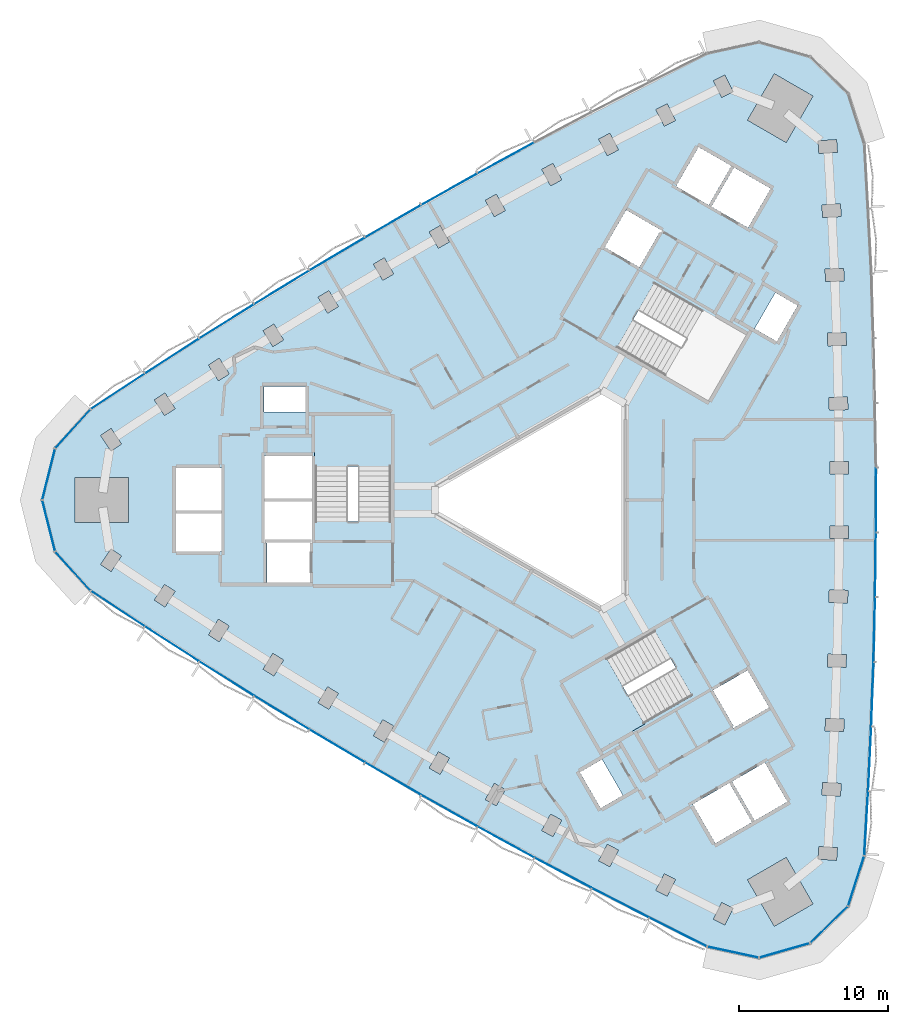
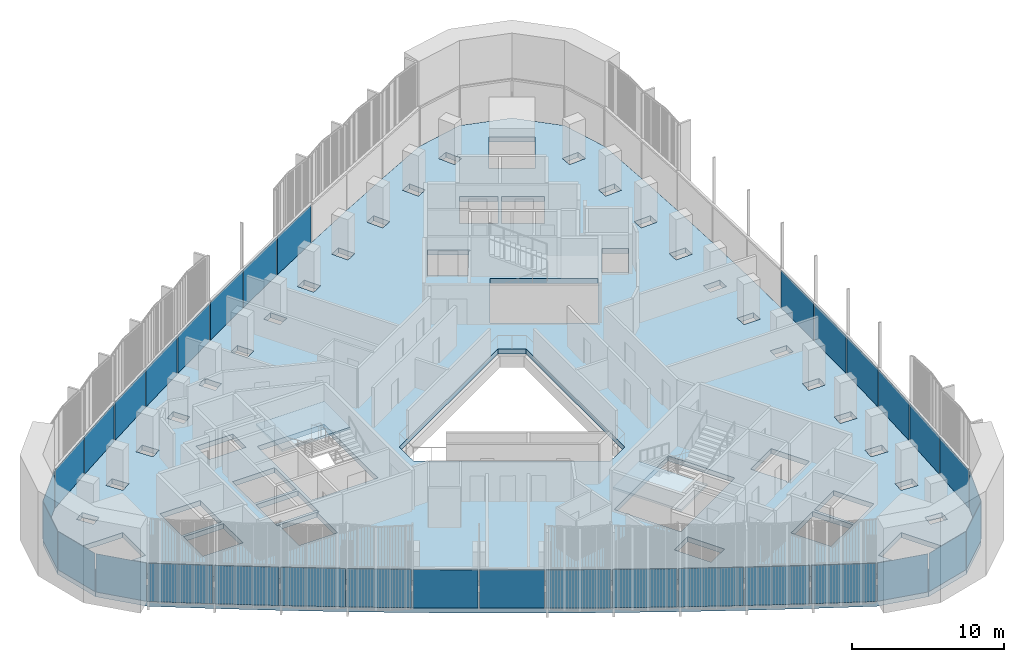
# One storey, part 6 of 14: 33 plates, 3 slabs, 5 elements without a shape of their own.
"""IFC4 building model written with IfcOpenShell, lengths in metres."""

from ifc_helpers import new_model, si_unit, direction, frame, origin, origin_2d, place, context, subcontext, project, spatial, polyline, rectangle, outline, extrude, material, layer, layer_set, type_object, element, aggregate, save


model = new_model("IFC4")

# Units and contexts
model_context = context("Model", 3, precision=1e-05, world=origin(), true_north=direction((0.0, 1.0)))
body_context = subcontext(model_context, "Body", "Model", "MODEL_VIEW")
ifc_project = project(units=[si_unit("LENGTHUNIT", "METRE"), si_unit("AREAUNIT", "SQUARE_METRE"), si_unit("VOLUMEUNIT", "CUBIC_METRE"), si_unit("PLANEANGLEUNIT", "RADIAN"), si_unit("MASSUNIT", "GRAM", prefix="KILO")], contexts=[model_context])

# Site, building, storey
site_placement = place(None, origin())
site = spatial("IfcSite", under=ifc_project, at=site_placement, CompositionType="ELEMENT")
building_placement = place(site_placement, origin())
building = spatial("IfcBuilding", under=site, at=building_placement, Name="Tamra Quay Hotel Tower", CompositionType="ELEMENT")
storey_placement = place(building_placement, frame((0.0, 0.0, 139.60009765625)))
storey = spatial("IfcBuildingStorey", under=building, at=storey_placement, Name="L34", CompositionType="ELEMENT", Elevation=139.60009765625)

# Stair, slab
ifc_material_1 = material(Name="Exit stair 2200 24 risers 150.0 going 342")
stair_type = type_object("IfcStairType", Name="Exit stair 2200 24 risers 150.0 going 342", PredefinedType="HALF_TURN_STAIR", material=ifc_material_1)
stair_1_placement = place(storey_placement, origin())
stair_1 = element("IfcStair", 1, at=stair_1_placement, inside=storey, type_object=stair_type, Name="L34 Exit stair ST3", PredefinedType="HALF_TURN_STAIR")
ifc_material_2 = material(Name="Concrete M70", Category="concrete")
ifc_layer_1 = layer(ifc_material_2, 0.175048828125)
ifc_layer_set_1 = layer_set([ifc_layer_1], Name="Concrete M70 stair landing 180")
slab_type_1 = type_object("IfcSlabType", Name="Concrete M70 stair landing 180", PredefinedType="LANDING", material=ifc_layer_set_1)
slab_1_placement = place(storey_placement, frame((0.0, 0.0, 1.625)))
slab_1 = element("IfcSlab", 2, at=slab_1_placement, type_object=slab_type_1, Name="ST3 landing 1", PredefinedType="LANDING", context=body_context, shape_type="SweptSolid", body=[
    extrude(outline(polyline([(-10.932373046875, 2.261962890625), (-10.932373046875, 5.679931640625), (-16.09130859375, 5.679931640625), (-16.09130859375, 2.261962890625), (-10.932373046875, 2.261962890625)])), origin(), (0.0, 0.0, 1.0), 0.1748046875),
])
aggregate(stair_1, [slab_1])

stair_2_placement = place(storey_placement, origin())
stair_2 = element("IfcStair", 3, at=stair_2_placement, inside=storey, type_object=stair_type, Name="L34 Exit stair ST2", PredefinedType="HALF_TURN_STAIR")
slab_2_placement = place(storey_placement, frame((0.0, 0.0, 1.625)))
slab_2 = element("IfcSlab", 4, at=slab_2_placement, type_object=slab_type_1, Name="ST2 landing 1", PredefinedType="LANDING", context=body_context, shape_type="SweptSolid", body=[
    extrude(outline(polyline([(3.50732421875, -10.5986328125), (0.547119140625, -12.3076171875), (3.126708984375, -16.775390625), (6.086669921875, -15.06640625), (3.50732421875, -10.5986328125)])), origin(), (0.0, 0.0, 1.0), 0.1748046875),
])
aggregate(stair_2, [slab_2])

# Slab
ifc_material_3 = material(Name="Concrete M60", Category="concrete")
ifc_layer_2 = layer(ifc_material_3, 0.39990234375)
ifc_layer_set_2 = layer_set([ifc_layer_2], Name="FLOOR SLAB PT 400")
slab_type_2 = type_object("IfcSlabType", Name="FLOOR SLAB PT 400", PredefinedType="FLOOR", material=ifc_layer_set_2)
slab_3_placement = place(storey_placement, frame((0.0, 0.0, -0.400146484375)))
element("IfcSlab", 5, at=slab_3_placement, inside=storey, type_object=slab_type_2, Name="SLAB-L34", PredefinedType="FLOOR", context=body_context, shape_type="SweptSolid", body=[
    extrude(outline(polyline([(21.11181640625, 19.57421875), (21.319580078125, 15.228271484375), (21.4755859375, 10.87841796875), (21.57958984375, 6.527099609375), (21.631591796875, 2.17626953125), (21.631591796875, -2.17626953125), (21.57958984375, -6.527099609375), (21.4755859375, -10.87841796875), (21.319580078125, -15.228271484375), (21.11181640625, -19.57421875), (20.852294921875, -23.918212890625), (19.76171875, -27.31201171875), (17.199951171875, -29.791259765625), (13.772216796875, -30.770263671875), (10.28759765625, -30.017578125), (6.39599609375, -28.0703125), (2.5283203125, -26.077392578125), (-1.31689453125, -24.03759765625), (-5.13720703125, -21.951904296875), (-8.930908203125, -19.821533203125), (-12.700439453125, -17.645263671875), (-16.4423828125, -15.4248046875), (-20.15869140625, -13.1591796875), (-23.84765625, -10.84912109375), (-27.507568359375, -8.49609375), (-31.139892578125, -6.099365234375), (-33.53369140625, -3.4580078125), (-34.39990234375, 0.0), (-33.53369140625, 3.4580078125), (-31.139892578125, 6.099365234375), (-27.507568359375, 8.49609375), (-23.84765625, 10.84912109375), (-20.15869140625, 13.1591796875), (-16.4423828125, 15.4248046875), (-12.700439453125, 17.645263671875), (-8.930908203125, 19.821533203125), (-5.13720703125, 21.951904296875), (-1.31689453125, 24.03759765625), (2.5283203125, 26.077392578125), (6.39599609375, 28.0703125), (10.28759765625, 30.017578125), (13.772216796875, 30.770263671875), (17.199951171875, 29.791259765625), (19.76171875, 27.31201171875), (20.852294921875, 23.918212890625), (21.11181640625, 19.57421875)]), holes=[polyline([(-12.1396484375, -15.846435546875), (-11.406005859375, -16.27587890625), (-10.7744140625, -15.197265625), (-11.5078125, -14.767578125), (-12.1396484375, -15.846435546875)]), polyline([(-15.216796875, -12.561279296875), (-15.86083984375, -13.632568359375), (-15.13232421875, -14.0703125), (-14.48828125, -12.9990234375), (-15.216796875, -12.561279296875)]), polyline([(-18.898193359375, -10.310791015625), (-19.55517578125, -11.3740234375), (-18.83203125, -11.82080078125), (-18.175048828125, -10.757568359375), (-18.898193359375, -10.310791015625)]), polyline([(-22.55224609375, -8.016357421875), (-23.222412109375, -9.071533203125), (-22.5048828125, -9.527099609375), (-21.834716796875, -8.471923828125), (-22.55224609375, -8.016357421875)]), polyline([(-26.179931640625, -5.678466796875), (-26.862060546875, -6.725830078125), (-26.149658203125, -7.189697265625), (-25.467529296875, -6.142333984375), (-26.179931640625, -5.678466796875)]), polyline([(-16.3173828125, -2.85498046875), (-19.4072265625, -2.85498046875), (-19.4072265625, -2.89306640625), (-19.307373046875, -2.89306640625), (-19.307373046875, -5.544921875), (-16.417236328125, -5.544921875), (-16.417236328125, -2.89306640625), (-16.3173828125, -2.89306640625), (-16.3173828125, -2.85498046875)]), polyline([(-29.77880859375, -3.297607421875), (-30.473388671875, -4.3369140625), (-29.7666015625, -4.80908203125), (-29.072021484375, -3.77001953125), (-29.77880859375, -3.297607421875)]), polyline([(-22.3671875, -0.905029296875), (-25.4072265625, -0.905029296875), (-25.4072265625, -3.445068359375), (-22.3671875, -3.445068359375), (-22.3671875, -0.905029296875)]), polyline([(-19.417236328125, -2.89306640625), (-19.417236328125, -2.64501953125), (-16.307373046875, -2.64501953125), (-16.307373046875, -2.89306640625), (-16.26708984375, -2.89306640625), (-16.26708984375, -0.10498046875), (-19.45751953125, -0.10498046875), (-19.45751953125, -2.89306640625), (-19.417236328125, -2.89306640625)]), polyline([(-28.6142578125, 1.5), (-32.214111328125, 1.5), (-32.214111328125, -1.5), (-28.6142578125, -1.5), (-28.6142578125, 1.5)]), polyline([(-25.4072265625, -0.695068359375), (-22.3671875, -0.695068359375), (-22.3671875, 2.14501953125), (-25.4072265625, 2.14501953125), (-25.4072265625, -0.695068359375)]), polyline([(-19.45751953125, 0.10498046875), (-16.26708984375, 0.10498046875), (-16.26708984375, 2.945068359375), (-19.45751953125, 2.945068359375), (-19.45751953125, 0.10498046875)]), polyline([(-16.036376953125, -1.455078125), (-10.9873046875, -1.455078125), (-10.9873046875, 5.625), (-16.036376953125, 5.625), (-16.036376953125, -1.455078125)]), polyline([(-29.072021484375, 3.77001953125), (-29.7666015625, 4.80908203125), (-30.473388671875, 4.3369140625), (-29.77880859375, 3.297607421875), (-29.072021484375, 3.77001953125)]), polyline([(-26.149658203125, 7.189697265625), (-26.862060546875, 6.725830078125), (-26.179931640625, 5.678466796875), (-25.467529296875, 6.142333984375), (-26.149658203125, 7.189697265625)]), polyline([(-16.71728515625, 7.64501953125), (-19.50732421875, 7.64501953125), (-19.50732421875, 5.9150390625), (-16.71728515625, 5.9150390625), (-16.71728515625, 7.64501953125)]), polyline([(-21.834716796875, 8.471923828125), (-22.5048828125, 9.527099609375), (-23.222412109375, 9.071533203125), (-22.55224609375, 8.016357421875), (-21.834716796875, 8.471923828125)]), polyline([(-18.175048828125, 10.757568359375), (-18.83203125, 11.82080078125), (-19.55517578125, 11.3740234375), (-18.898193359375, 10.310791015625), (-18.175048828125, 10.757568359375)]), polyline([(-14.48828125, 12.9990234375), (-15.13232421875, 14.0703125), (-15.86083984375, 13.632568359375), (-15.216796875, 12.561279296875), (-14.48828125, 12.9990234375)]), polyline([(7.414306640625, -25.126708984375), (6.848388671875, -26.2412109375), (7.606201171875, -26.626220703125), (8.17236328125, -25.51171875), (7.414306640625, -25.126708984375)]), polyline([(3.580322265625, -23.1455078125), (3.00146484375, -24.25341796875), (3.7548828125, -24.64697265625), (4.333740234375, -23.5390625), (3.580322265625, -23.1455078125)]), polyline([(-0.821044921875, -22.219482421875), (-0.072509765625, -22.622314453125), (0.519775390625, -21.521484375), (-0.228759765625, -21.118896484375), (-0.821044921875, -22.219482421875)]), polyline([(13.3056640625, -21.65576171875), (11.78564453125, -19.02294921875), (9.325927734375, -20.443115234375), (10.845947265625, -23.075927734375), (13.3056640625, -21.65576171875)]), polyline([(-4.01318359375, -19.046875), (-4.619140625, -20.14013671875), (-3.875732421875, -20.55224609375), (-3.269775390625, -19.458740234375), (-4.01318359375, -19.046875)]), polyline([(1.73779296875, -18.300048828125), (3.1328125, -20.71630859375), (4.631103515625, -19.851318359375), (3.236083984375, -17.43505859375), (1.73779296875, -18.300048828125)]), polyline([(-7.77392578125, -16.9296875), (-8.392333984375, -18.01611328125), (-7.653564453125, -18.436279296875), (-7.035400390625, -17.35009765625), (-7.77392578125, -16.9296875)]), polyline([(9.2783203125, -13.160400390625), (6.75390625, -8.78759765625), (0.622314453125, -12.32763671875), (3.146728515625, -16.7001953125), (9.2783203125, -13.160400390625)]), polyline([(3.199951171875, 7.39013671875), (-8.0, 0.923828125), (-8.0, -0.923828125), (3.199951171875, -7.39013671875), (4.800048828125, -6.46630859375), (4.800048828125, 6.46630859375), (3.199951171875, 7.39013671875)]), polyline([(4.2333984375, 10.242919921875), (10.364990234375, 6.702880859375), (12.889404296875, 11.075439453125), (6.758056640625, 14.615478515625), (4.2333984375, 10.242919921875)]), polyline([(-10.7744140625, 15.197265625), (-11.406005859375, 16.27587890625), (-12.1396484375, 15.846435546875), (-11.5078125, 14.767578125), (-10.7744140625, 15.197265625)]), polyline([(5.736083984375, 15.645263671875), (7.111083984375, 18.02685546875), (7.19775390625, 17.976806640625), (7.267578125, 18.09814453125), (4.8515625, 19.4931640625), (3.406494140625, 16.990234375), (5.736083984375, 15.645263671875)]), polyline([(-7.035400390625, 17.35009765625), (-7.653564453125, 18.436279296875), (-8.392333984375, 18.01611328125), (-7.77392578125, 16.9296875), (-7.035400390625, 17.35009765625)]), polyline([(-3.269775390625, 19.458740234375), (-3.875732421875, 20.55224609375), (-4.619140625, 20.14013671875), (-4.01318359375, 19.046875), (-3.269775390625, 19.458740234375)]), polyline([(8.2001953125, 21.093017578125), (10.39990234375, 19.822998046875), (11.919921875, 22.455810546875), (9.72021484375, 23.725830078125), (8.2001953125, 21.093017578125)]), polyline([(0.519775390625, 21.521484375), (-0.072509765625, 22.622314453125), (-0.821044921875, 22.219482421875), (-0.228759765625, 21.118896484375), (0.519775390625, 21.521484375)]), polyline([(3.7548828125, 24.64697265625), (3.00146484375, 24.25341796875), (3.580322265625, 23.1455078125), (4.333740234375, 23.5390625), (3.7548828125, 24.64697265625)]), polyline([(8.17236328125, 25.51171875), (7.606201171875, 26.626220703125), (6.848388671875, 26.2412109375), (7.414306640625, 25.126708984375), (8.17236328125, 25.51171875)]), polyline([(12.03369140625, 27.43798828125), (11.480712890625, 28.55908203125), (10.718505859375, 28.18310546875), (11.271240234375, 27.06201171875), (12.03369140625, 27.43798828125)]), polyline([(11.271240234375, -27.06201171875), (10.718505859375, -28.18310546875), (11.480712890625, -28.55908203125), (12.03369140625, -27.43798828125), (11.271240234375, -27.06201171875)]), polyline([(13.008056640625, -25.53076171875), (14.80810546875, -28.648193359375), (17.406005859375, -27.148193359375), (15.606201171875, -24.03076171875), (13.008056640625, -25.53076171875)]), polyline([(17.7451171875, -24.140380859375), (18.99267578125, -24.22216796875), (19.048095703125, -23.3740234375), (17.80078125, -23.292236328125), (17.7451171875, -24.140380859375)]), polyline([(14.1669921875, -17.648193359375), (11.96728515625, -18.91796875), (13.487548828125, -21.55078125), (15.68701171875, -20.281005859375), (14.1669921875, -17.648193359375)]), polyline([(19.255859375, -19.900146484375), (19.301513671875, -19.051513671875), (18.05322265625, -18.984375), (18.007568359375, -19.833251953125), (19.255859375, -19.900146484375)]), polyline([(18.218505859375, -15.5224609375), (19.46728515625, -15.5751953125), (19.50341796875, -14.72607421875), (18.25439453125, -14.67333984375), (18.218505859375, -15.5224609375)]), polyline([(10.68115234375, -12.790283203125), (12.05615234375, -15.171875), (11.969482421875, -15.2216796875), (12.03955078125, -15.343017578125), (14.455810546875, -13.947998046875), (13.0107421875, -11.4453125), (10.68115234375, -12.790283203125)]), polyline([(18.37841796875, -11.2109375), (19.627685546875, -11.248291015625), (19.6533203125, -10.398681640625), (18.40380859375, -10.361328125), (18.37841796875, -11.2109375)]), polyline([(18.48681640625, -6.897705078125), (19.736572265625, -6.919677734375), (19.75146484375, -6.06982421875), (18.501708984375, -6.0478515625), (18.48681640625, -6.897705078125)]), polyline([(18.543212890625, -2.582275390625), (19.793212890625, -2.590087890625), (19.79833984375, -1.739990234375), (18.54833984375, -1.732421875), (18.543212890625, -2.582275390625)]), polyline([(18.54833984375, 1.732421875), (19.79833984375, 1.739990234375), (19.793212890625, 2.590087890625), (18.543212890625, 2.582275390625), (18.54833984375, 1.732421875)]), polyline([(18.501708984375, 6.0478515625), (19.75146484375, 6.06982421875), (19.736572265625, 6.919677734375), (18.48681640625, 6.897705078125), (18.501708984375, 6.0478515625)]), polyline([(18.40380859375, 10.361328125), (19.6533203125, 10.398681640625), (19.627685546875, 11.248291015625), (18.37841796875, 11.2109375), (18.40380859375, 10.361328125)]), polyline([(14.9794921875, 10.655029296875), (16.37451171875, 13.0712890625), (14.876220703125, 13.936279296875), (13.481201171875, 11.52001953125), (14.9794921875, 10.655029296875)]), polyline([(18.25439453125, 14.67333984375), (19.50341796875, 14.72607421875), (19.46728515625, 15.5751953125), (18.218505859375, 15.5224609375), (18.25439453125, 14.67333984375)]), polyline([(18.05322265625, 18.984375), (19.301513671875, 19.051513671875), (19.255859375, 19.900146484375), (18.007568359375, 19.833251953125), (18.05322265625, 18.984375)]), polyline([(12.101806640625, 22.350830078125), (10.58154296875, 19.718017578125), (13.041259765625, 18.298095703125), (14.561279296875, 20.930908203125), (12.101806640625, 22.350830078125)]), polyline([(17.80078125, 23.292236328125), (19.048095703125, 23.3740234375), (18.99267578125, 24.22216796875), (17.7451171875, 24.140380859375), (17.80078125, 23.292236328125)]), polyline([(15.606201171875, 24.03076171875), (17.406005859375, 27.148193359375), (14.80810546875, 28.648193359375), (13.008056640625, 25.53076171875), (15.606201171875, 24.03076171875)])]), origin(), (0.0, 0.0, 1.0), 0.400146484375),
])

# Curtain wall, plates
ifc_material_4 = material(Name="Aluminium 6063 anodised dark grey", Category="aluminium")
curtain_wall_type_1 = type_object("IfcCurtainWallType", Name="CW1 CURTAIN WALL", PredefinedType="NOTDEFINED", material=ifc_material_4)
curtain_wall_1_placement = place(storey_placement, origin())
curtain_wall_1 = element("IfcCurtainWall", 6, at=curtain_wall_1_placement, inside=storey, type_object=curtain_wall_type_1, Name="CW1 east face L34", PredefinedType="NOTDEFINED")
ifc_material_5 = material(Name="Glass clear laminated low-iron", Category="glass")
ifc_layer_3 = layer(ifc_material_5, 0.031982421875)
ifc_layer_set_3 = layer_set([ifc_layer_3], Name="GLASS PANEL CW1 Z3")
plate_type_1 = type_object("IfcPlateType", Name="GLASS PANEL CW1 Z3", PredefinedType="CURTAIN_PANEL", material=ifc_layer_set_3)
plate_1_placement = place(storey_placement, frame((20.98193359375, -21.74609375, -0.000244140625), z_axis=(0.0, 0.0, 1.0), x_axis=(0.059641629271, 0.998219853568, 0.0)))
plate_1 = element("IfcPlate", 7, at=plate_1_placement, type_object=plate_type_1, Name="CW1 glass L34.E.1", PredefinedType="CURTAIN_PANEL", context=body_context, shape_type="SweptSolid", body=[
    extrude(rectangle(XDim=4.251708984375, YDim=0.031982421875, at=origin_2d()), origin(), (0.0, 0.0, 1.0), 3.06005859375),
])
plate_2_placement = place(storey_placement, frame((21.215576171875, -17.401123046875, -0.000244140625), z_axis=(0.0, 0.0, 1.0), x_axis=(0.047747439326, 0.998859440581, 0.0)))
plate_2 = element("IfcPlate", 8, at=plate_2_placement, type_object=plate_type_1, Name="CW1 glass L34.E.2", PredefinedType="CURTAIN_PANEL", context=body_context, shape_type="SweptSolid", body=[
    extrude(rectangle(XDim=4.2509765625, YDim=0.031982421875, at=origin_2d()), origin(), (0.0, 0.0, 1.0), 3.06005859375),
])
plate_3_placement = place(storey_placement, frame((21.3974609375, -13.05322265625, -0.000244140625), z_axis=(0.0, 0.0, 1.0), x_axis=(0.035845418958, 0.999357346468, 0.0)))
plate_3 = element("IfcPlate", 9, at=plate_3_placement, type_object=plate_type_1, Name="CW1 glass L34.E.3", PredefinedType="CURTAIN_PANEL", context=body_context, shape_type="SweptSolid", body=[
    extrude(rectangle(XDim=4.252685546875, YDim=0.031982421875, at=origin_2d()), origin(), (0.0, 0.0, 1.0), 3.06005859375),
])
plate_4_placement = place(storey_placement, frame((21.527587890625, -8.70263671875, -0.000244140625), z_axis=(0.0, 0.0, 1.0), x_axis=(0.023895852937, 0.999714453338, 0.0)))
plate_4 = element("IfcPlate", 10, at=plate_4_placement, type_object=plate_type_1, Name="CW1 glass L34.E.4", PredefinedType="CURTAIN_PANEL", context=body_context, shape_type="SweptSolid", body=[
    extrude(rectangle(XDim=4.252685546875, YDim=0.031982421875, at=origin_2d()), origin(), (0.0, 0.0, 1.0), 3.06005859375),
])
plate_5_placement = place(storey_placement, frame((21.60546875, -4.3515625, -0.000244140625), z_axis=(0.0, 0.0, 1.0), x_axis=(0.011956859788, 0.999928514197, 0.0)))
plate_5 = element("IfcPlate", 11, at=plate_5_placement, type_object=plate_type_1, Name="CW1 glass L34.E.5", PredefinedType="CURTAIN_PANEL", context=body_context, shape_type="SweptSolid", body=[
    extrude(rectangle(XDim=4.2509765625, YDim=0.031982421875, at=origin_2d()), origin(), (0.0, 0.0, 1.0), 3.06005859375),
])
plate_6_placement = place(storey_placement, frame((21.631591796875, 0.0, -0.000244140625), z_axis=(0.0, 0.0, 1.0), x_axis=(0.0, 1.0, 0.0)))
plate_6 = element("IfcPlate", 12, at=plate_6_placement, type_object=plate_type_1, Name="CW1 glass L34.E.6", PredefinedType="CURTAIN_PANEL", context=body_context, shape_type="SweptSolid", body=[
    extrude(rectangle(XDim=4.252685546875, YDim=0.031982421875, at=origin_2d()), origin(), (0.0, 0.0, 1.0), 3.06005859375),
])
aggregate(curtain_wall_1, [plate_1, plate_2, plate_3, plate_4, plate_5, plate_6])

curtain_wall_type_2 = type_object("IfcCurtainWallType", Name="CW2 CURTAIN WALL", PredefinedType="NOTDEFINED", material=ifc_material_4)
curtain_wall_2_placement = place(storey_placement, origin())
curtain_wall_2 = element("IfcCurtainWall", 13, at=curtain_wall_2_placement, inside=storey, type_object=curtain_wall_type_2, Name="CW2 north-west face L34", PredefinedType="NOTDEFINED")
ifc_layer_4 = layer(ifc_material_5, 0.031982421875)
ifc_layer_set_4 = layer_set([ifc_layer_4], Name="GLASS PANEL CW2 Z3")
plate_type_2 = type_object("IfcPlateType", Name="GLASS PANEL CW2 Z3", PredefinedType="CURTAIN_PANEL", material=ifc_layer_set_4)
plate_7_placement = place(storey_placement, frame((-3.22705078125, 22.99462890625, -0.000244140625), z_axis=(0.0, 0.0, 1.0), x_axis=(-0.877726039589, -0.479162810981, 0.0)))
plate_7 = element("IfcPlate", 14, at=plate_7_placement, type_object=plate_type_2, Name="CW2 glass L34.NW.4", PredefinedType="CURTAIN_PANEL", context=body_context, shape_type="SweptSolid", body=[
    extrude(rectangle(XDim=4.252685546875, YDim=0.031982421875, at=origin_2d()), origin(), (0.0, 0.0, 1.0), 3.06005859375),
])
plate_8_placement = place(storey_placement, frame((-7.0341796875, 20.88671875, -0.000244140625), z_axis=(0.0, 0.0, 1.0), x_axis=(-0.871941925157, -0.489609312772, 0.0)))
plate_8 = element("IfcPlate", 15, at=plate_8_placement, type_object=plate_type_2, Name="CW2 glass L34.NW.5", PredefinedType="CURTAIN_PANEL", context=body_context, shape_type="SweptSolid", body=[
    extrude(rectangle(XDim=4.2509765625, YDim=0.031982421875, at=origin_2d()), origin(), (0.0, 0.0, 1.0), 3.06005859375),
])
plate_9_placement = place(storey_placement, frame((-10.815673828125, 18.7333984375, -0.000244140625), z_axis=(0.0, 0.0, 1.0), x_axis=(-0.866025403784, -0.5, 0.0)))
plate_9 = element("IfcPlate", 16, at=plate_9_placement, type_object=plate_type_2, Name="CW2 glass L34.NW.6", PredefinedType="CURTAIN_PANEL", context=body_context, shape_type="SweptSolid", body=[
    extrude(rectangle(XDim=4.252685546875, YDim=0.031982421875, at=origin_2d()), origin(), (0.0, 0.0, 1.0), 3.06005859375),
])
plate_10_placement = place(storey_placement, frame((-14.571533203125, 16.53515625, -0.000244140625), z_axis=(0.0, 0.0, 1.0), x_axis=(-0.859985065369, -0.510319201424, 0.0)))
plate_10 = element("IfcPlate", 17, at=plate_10_placement, type_object=plate_type_2, Name="CW2 glass L34.NW.7", PredefinedType="CURTAIN_PANEL", context=body_context, shape_type="SweptSolid", body=[
    extrude(rectangle(XDim=4.2509765625, YDim=0.031982421875, at=origin_2d()), origin(), (0.0, 0.0, 1.0), 3.06005859375),
])
plate_11_placement = place(storey_placement, frame((-18.300537109375, 14.2919921875, -0.000244140625), z_axis=(0.0, 0.0, 1.0), x_axis=(-0.853830186653, -0.520551642357, 0.0)))
plate_11 = element("IfcPlate", 18, at=plate_11_placement, type_object=plate_type_2, Name="CW2 glass L34.NW.8", PredefinedType="CURTAIN_PANEL", context=body_context, shape_type="SweptSolid", body=[
    extrude(rectangle(XDim=4.252685546875, YDim=0.031982421875, at=origin_2d()), origin(), (0.0, 0.0, 1.0), 3.06005859375),
])
plate_12_placement = place(storey_placement, frame((-22.003173828125, 12.004150390625, -0.000244140625), z_axis=(0.0, 0.0, 1.0), x_axis=(-0.847546140021, -0.530721716661, 0.0)))
plate_12 = element("IfcPlate", 19, at=plate_12_placement, type_object=plate_type_2, Name="CW2 glass L34.NW.9", PredefinedType="CURTAIN_PANEL", context=body_context, shape_type="SweptSolid", body=[
    extrude(rectangle(XDim=4.252685546875, YDim=0.031982421875, at=origin_2d()), origin(), (0.0, 0.0, 1.0), 3.06005859375),
])
plate_13_placement = place(storey_placement, frame((-25.677734375, 9.672607421875, -0.000244140625), z_axis=(0.0, 0.0, 1.0), x_axis=(-0.84116393069, -0.540780215713, 0.0)))
plate_13 = element("IfcPlate", 20, at=plate_13_placement, type_object=plate_type_2, Name="CW2 glass L34.NW.10", PredefinedType="CURTAIN_PANEL", context=body_context, shape_type="SweptSolid", body=[
    extrude(rectangle(XDim=4.2509765625, YDim=0.031982421875, at=origin_2d()), origin(), (0.0, 0.0, 1.0), 3.06005859375),
])
plate_14_placement = place(storey_placement, frame((-29.32373046875, 7.2978515625, -0.000244140625), z_axis=(0.0, 0.0, 1.0), x_axis=(-0.834662937117, -0.550761092856, 0.0)))
plate_14 = element("IfcPlate", 21, at=plate_14_placement, type_object=plate_type_2, Name="CW2 glass L34.NW.11", PredefinedType="CURTAIN_PANEL", context=body_context, shape_type="SweptSolid", body=[
    extrude(rectangle(XDim=4.251708984375, YDim=0.031982421875, at=origin_2d()), origin(), (0.0, 0.0, 1.0), 3.06005859375),
])
plate_15_placement = place(storey_placement, frame((-32.3369140625, 4.77880859375, -0.000244140625), z_axis=(0.0, 0.0, 1.0), x_axis=(-0.671549804177, -0.740959418936, 0.0)))
plate_15 = element("IfcPlate", 22, at=plate_15_placement, type_object=plate_type_2, Name="CW2 glass L34.NW.12", PredefinedType="CURTAIN_PANEL", context=body_context, shape_type="SweptSolid", body=[
    extrude(rectangle(XDim=3.46484375, YDim=0.031982421875, at=origin_2d()), origin(), (0.0, 0.0, 1.0), 3.06005859375),
])
plate_16_placement = place(storey_placement, frame((-33.967041015625, 1.72900390625, -0.000244140625), z_axis=(0.0, 0.0, 1.0), x_axis=(-0.242976186667, -0.970032253439, 0.0)))
plate_16 = element("IfcPlate", 23, at=plate_16_placement, type_object=plate_type_2, Name="CW2 glass L34.NW.13", PredefinedType="CURTAIN_PANEL", context=body_context, shape_type="SweptSolid", body=[
    extrude(rectangle(XDim=3.46484375, YDim=0.031982421875, at=origin_2d()), origin(), (0.0, 0.0, 1.0), 3.06005859375),
])
plate_17_placement = place(storey_placement, frame((-33.967041015625, -1.72900390625, -0.000244140625), z_axis=(0.0, 0.0, 1.0), x_axis=(0.242976186667, -0.970032253439, 0.0)))
plate_17 = element("IfcPlate", 24, at=plate_17_placement, type_object=plate_type_2, Name="CW2 glass L34.NW.14", PredefinedType="CURTAIN_PANEL", context=body_context, shape_type="SweptSolid", body=[
    extrude(rectangle(XDim=3.46484375, YDim=0.031982421875, at=origin_2d()), origin(), (0.0, 0.0, 1.0), 3.06005859375),
])
plate_18_placement = place(storey_placement, frame((-32.3369140625, -4.77880859375, -0.000244140625), z_axis=(0.0, 0.0, 1.0), x_axis=(0.671549804177, -0.740959418936, 0.0)))
plate_18 = element("IfcPlate", 25, at=plate_18_placement, type_object=plate_type_2, Name="CW2 glass L34.NW.15", PredefinedType="CURTAIN_PANEL", context=body_context, shape_type="SweptSolid", body=[
    extrude(rectangle(XDim=3.46484375, YDim=0.031982421875, at=origin_2d()), origin(), (0.0, 0.0, 1.0), 3.06005859375),
])
aggregate(curtain_wall_2, [plate_7, plate_8, plate_9, plate_10, plate_11, plate_12, plate_13, plate_14, plate_15, plate_16, plate_17, plate_18])

curtain_wall_type_3 = type_object("IfcCurtainWallType", Name="CW3 CURTAIN WALL", PredefinedType="NOTDEFINED", material=ifc_material_4)
curtain_wall_3_placement = place(storey_placement, origin())
curtain_wall_3 = element("IfcCurtainWall", 26, at=curtain_wall_3_placement, inside=storey, type_object=curtain_wall_type_3, Name="CW3 south-west face L34", PredefinedType="NOTDEFINED")
ifc_layer_5 = layer(ifc_material_5, 0.031982421875)
ifc_layer_set_5 = layer_set([ifc_layer_5], Name="GLASS PANEL CW3 Z3")
plate_type_3 = type_object("IfcPlateType", Name="GLASS PANEL CW3 Z3", PredefinedType="CURTAIN_PANEL", material=ifc_layer_set_5)
plate_19_placement = place(storey_placement, frame((-29.32373046875, -7.2978515625, -0.000244140625), z_axis=(0.0, 0.0, 1.0), x_axis=(0.834662937117, -0.550761092856, 0.0)))
plate_19 = element("IfcPlate", 27, at=plate_19_placement, type_object=plate_type_3, Name="CW3 glass L34.SW.1", PredefinedType="CURTAIN_PANEL", context=body_context, shape_type="SweptSolid", body=[
    extrude(rectangle(XDim=4.251708984375, YDim=0.031982421875, at=origin_2d()), origin(), (0.0, 0.0, 1.0), 3.06005859375),
])
plate_20_placement = place(storey_placement, frame((-25.677734375, -9.672607421875, -0.000244140625), z_axis=(0.0, 0.0, 1.0), x_axis=(0.84116393069, -0.540780215713, 0.0)))
plate_20 = element("IfcPlate", 28, at=plate_20_placement, type_object=plate_type_3, Name="CW3 glass L34.SW.2", PredefinedType="CURTAIN_PANEL", context=body_context, shape_type="SweptSolid", body=[
    extrude(rectangle(XDim=4.2509765625, YDim=0.031982421875, at=origin_2d()), origin(), (0.0, 0.0, 1.0), 3.06005859375),
])
plate_21_placement = place(storey_placement, frame((-22.003173828125, -12.004150390625, -0.000244140625), z_axis=(0.0, 0.0, 1.0), x_axis=(0.847546140021, -0.530721716661, 0.0)))
plate_21 = element("IfcPlate", 29, at=plate_21_placement, type_object=plate_type_3, Name="CW3 glass L34.SW.3", PredefinedType="CURTAIN_PANEL", context=body_context, shape_type="SweptSolid", body=[
    extrude(rectangle(XDim=4.252685546875, YDim=0.031982421875, at=origin_2d()), origin(), (0.0, 0.0, 1.0), 3.06005859375),
])
plate_22_placement = place(storey_placement, frame((-18.300537109375, -14.2919921875, -0.000244140625), z_axis=(0.0, 0.0, 1.0), x_axis=(0.853830186653, -0.520551642357, 0.0)))
plate_22 = element("IfcPlate", 30, at=plate_22_placement, type_object=plate_type_3, Name="CW3 glass L34.SW.4", PredefinedType="CURTAIN_PANEL", context=body_context, shape_type="SweptSolid", body=[
    extrude(rectangle(XDim=4.252685546875, YDim=0.031982421875, at=origin_2d()), origin(), (0.0, 0.0, 1.0), 3.06005859375),
])
plate_23_placement = place(storey_placement, frame((-14.571533203125, -16.53515625, -0.000244140625), z_axis=(0.0, 0.0, 1.0), x_axis=(0.859985065369, -0.510319201424, 0.0)))
plate_23 = element("IfcPlate", 31, at=plate_23_placement, type_object=plate_type_3, Name="CW3 glass L34.SW.5", PredefinedType="CURTAIN_PANEL", context=body_context, shape_type="SweptSolid", body=[
    extrude(rectangle(XDim=4.2509765625, YDim=0.031982421875, at=origin_2d()), origin(), (0.0, 0.0, 1.0), 3.06005859375),
])
plate_24_placement = place(storey_placement, frame((-10.815673828125, -18.7333984375, -0.000244140625), z_axis=(0.0, 0.0, 1.0), x_axis=(0.866025403784, -0.5, 0.0)))
plate_24 = element("IfcPlate", 32, at=plate_24_placement, type_object=plate_type_3, Name="CW3 glass L34.SW.6", PredefinedType="CURTAIN_PANEL", context=body_context, shape_type="SweptSolid", body=[
    extrude(rectangle(XDim=4.252685546875, YDim=0.031982421875, at=origin_2d()), origin(), (0.0, 0.0, 1.0), 3.06005859375),
])
plate_25_placement = place(storey_placement, frame((-7.0341796875, -20.88671875, -0.000244140625), z_axis=(0.0, 0.0, 1.0), x_axis=(0.871941925157, -0.489609312772, 0.0)))
plate_25 = element("IfcPlate", 33, at=plate_25_placement, type_object=plate_type_3, Name="CW3 glass L34.SW.7", PredefinedType="CURTAIN_PANEL", context=body_context, shape_type="SweptSolid", body=[
    extrude(rectangle(XDim=4.2509765625, YDim=0.031982421875, at=origin_2d()), origin(), (0.0, 0.0, 1.0), 3.06005859375),
])
plate_26_placement = place(storey_placement, frame((-3.22705078125, -22.99462890625, -0.000244140625), z_axis=(0.0, 0.0, 1.0), x_axis=(0.877726039589, -0.479162810981, 0.0)))
plate_26 = element("IfcPlate", 34, at=plate_26_placement, type_object=plate_type_3, Name="CW3 glass L34.SW.8", PredefinedType="CURTAIN_PANEL", context=body_context, shape_type="SweptSolid", body=[
    extrude(rectangle(XDim=4.252685546875, YDim=0.031982421875, at=origin_2d()), origin(), (0.0, 0.0, 1.0), 3.06005859375),
])
plate_27_placement = place(storey_placement, frame((0.605712890625, -25.057373046875, -0.000244140625), z_axis=(0.0, 0.0, 1.0), x_axis=(0.883391558979, -0.468635629808, 0.0)))
plate_27 = element("IfcPlate", 35, at=plate_27_placement, type_object=plate_type_3, Name="CW3 glass L34.SW.9", PredefinedType="CURTAIN_PANEL", context=body_context, shape_type="SweptSolid", body=[
    extrude(rectangle(XDim=4.252685546875, YDim=0.031982421875, at=origin_2d()), origin(), (0.0, 0.0, 1.0), 3.06005859375),
])
plate_28_placement = place(storey_placement, frame((4.462158203125, -27.073974609375, -0.000244140625), z_axis=(0.0, 0.0, 1.0), x_axis=(0.888911370016, -0.458079224868, 0.0)))
plate_28 = element("IfcPlate", 36, at=plate_28_placement, type_object=plate_type_3, Name="CW3 glass L34.SW.10", PredefinedType="CURTAIN_PANEL", context=body_context, shape_type="SweptSolid", body=[
    extrude(rectangle(XDim=4.2509765625, YDim=0.031982421875, at=origin_2d()), origin(), (0.0, 0.0, 1.0), 3.06005859375),
])
plate_29_placement = place(storey_placement, frame((8.341796875, -29.0439453125, -0.000244140625), z_axis=(0.0, 0.0, 1.0), x_axis=(0.894304566387, -0.447458760713, 0.0)))
plate_29 = element("IfcPlate", 37, at=plate_29_placement, type_object=plate_type_3, Name="CW3 glass L34.SW.11", PredefinedType="CURTAIN_PANEL", context=body_context, shape_type="SweptSolid", body=[
    extrude(rectangle(XDim=4.251708984375, YDim=0.031982421875, at=origin_2d()), origin(), (0.0, 0.0, 1.0), 3.06005859375),
])
plate_30_placement = place(storey_placement, frame((12.030029296875, -30.393798828125, -0.000244140625), z_axis=(0.0, 0.0, 1.0), x_axis=(0.97746458206, -0.211099480856, 0.0)))
plate_30 = element("IfcPlate", 38, at=plate_30_placement, type_object=plate_type_3, Name="CW3 glass L34.SW.12", PredefinedType="CURTAIN_PANEL", context=body_context, shape_type="SweptSolid", body=[
    extrude(rectangle(XDim=3.46484375, YDim=0.031982421875, at=origin_2d()), origin(), (0.0, 0.0, 1.0), 3.06005859375),
])
plate_31_placement = place(storey_placement, frame((15.486083984375, -30.28076171875, -0.000244140625), z_axis=(0.0, 0.0, 1.0), x_axis=(0.961560667302, 0.274592576551, 0.0)))
plate_31 = element("IfcPlate", 39, at=plate_31_placement, type_object=plate_type_3, Name="CW3 glass L34.SW.13", PredefinedType="CURTAIN_PANEL", context=body_context, shape_type="SweptSolid", body=[
    extrude(rectangle(XDim=3.46484375, YDim=0.031982421875, at=origin_2d()), origin(), (0.0, 0.0, 1.0), 3.06005859375),
])
plate_32_placement = place(storey_placement, frame((18.480712890625, -28.5517578125, -0.000244140625), z_axis=(0.0, 0.0, 1.0), x_axis=(0.718584480635, 0.695439676888, 0.0)))
plate_32 = element("IfcPlate", 40, at=plate_32_placement, type_object=plate_type_3, Name="CW3 glass L34.SW.14", PredefinedType="CURTAIN_PANEL", context=body_context, shape_type="SweptSolid", body=[
    extrude(rectangle(XDim=3.46484375, YDim=0.031982421875, at=origin_2d()), origin(), (0.0, 0.0, 1.0), 3.06005859375),
])
plate_33_placement = place(storey_placement, frame((20.306884765625, -25.615234375, -0.000244140625), z_axis=(0.0, 0.0, 1.0), x_axis=(0.305914777883, 0.952058899792, 0.0)))
plate_33 = element("IfcPlate", 41, at=plate_33_placement, type_object=plate_type_3, Name="CW3 glass L34.SW.15", PredefinedType="CURTAIN_PANEL", context=body_context, shape_type="SweptSolid", body=[
    extrude(rectangle(XDim=3.46484375, YDim=0.031982421875, at=origin_2d()), origin(), (0.0, 0.0, 1.0), 3.06005859375),
])
aggregate(curtain_wall_3, [plate_19, plate_20, plate_21, plate_22, plate_23, plate_24, plate_25, plate_26, plate_27, plate_28, plate_29, plate_30, plate_31, plate_32, plate_33])

save(model, "model.ifc")
